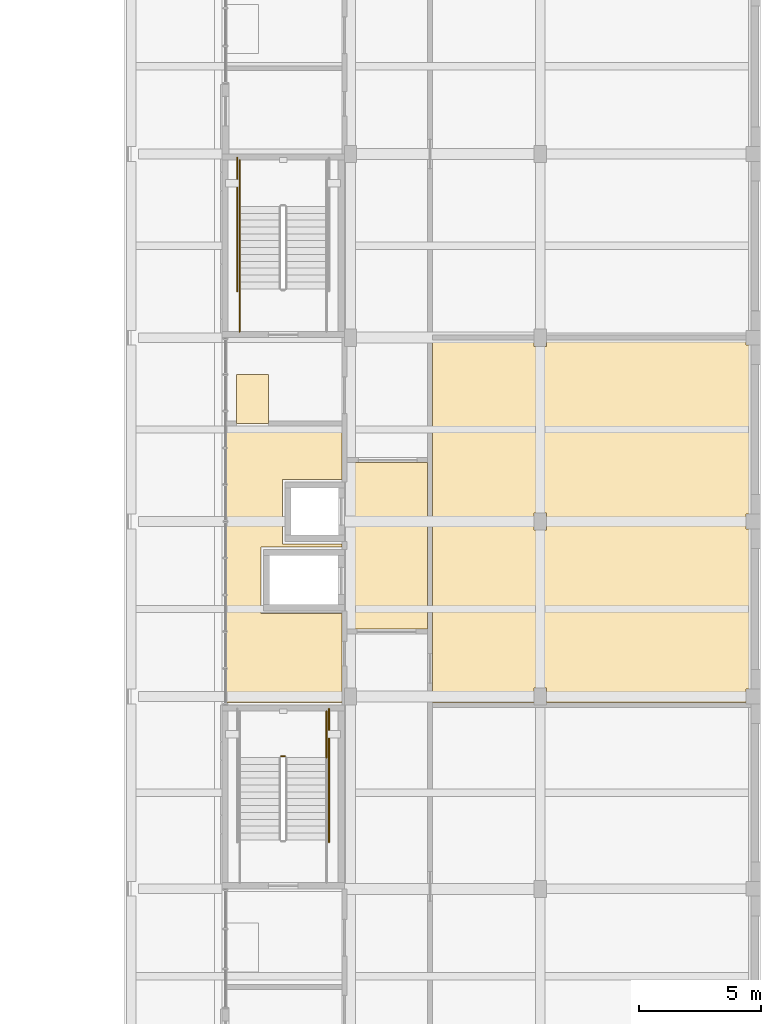
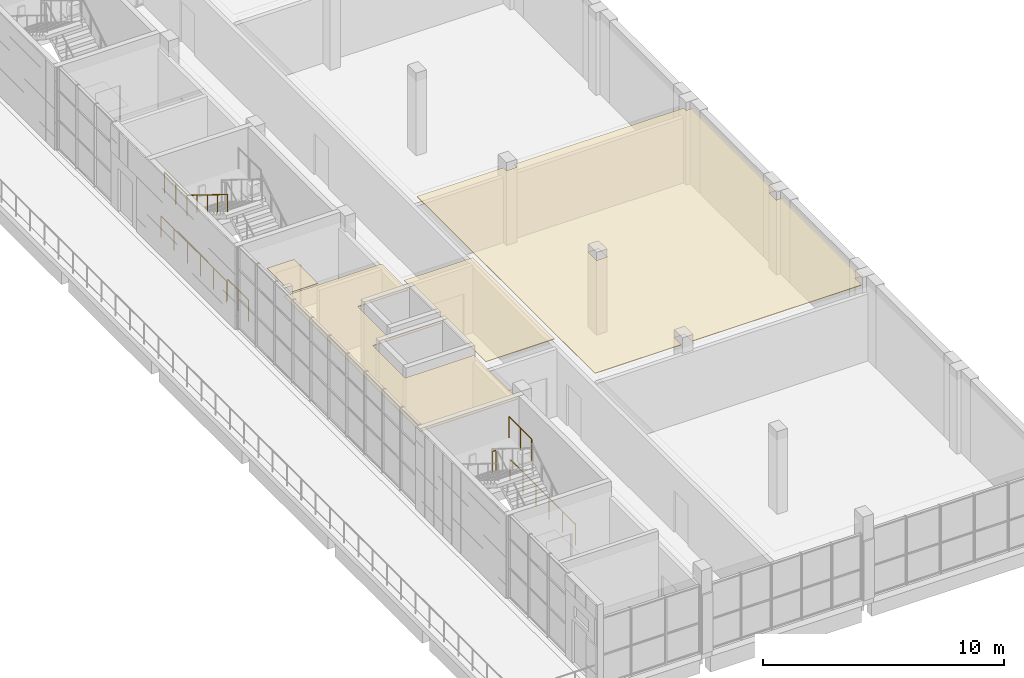
# One storey, part 35 of 36: 7 railings, 4 coverings.
"""IFC4 building model written with IfcOpenShell, lengths in metres."""

from ifc_helpers import new_model, si_unit, direction, frame, origin, origin_2d, place, context, subcontext, project, spatial, polyline, circle, outline, extrude, material, layer, layer_set, type_object, element, save


model = new_model("IFC4")

# Units and contexts
model_context = context("Model", 3, precision=1e-05, world=origin(), true_north=direction((0.0, 1.0)))
body_context = subcontext(model_context, "Body", "Model", "MODEL_VIEW")
ifc_project = project(units=[si_unit("LENGTHUNIT", "METRE"), si_unit("AREAUNIT", "SQUARE_METRE"), si_unit("VOLUMEUNIT", "CUBIC_METRE"), si_unit("PLANEANGLEUNIT", "RADIAN"), si_unit("MASSUNIT", "GRAM", prefix="KILO")], contexts=[model_context])

# Site, building, storey
site_placement = place(None, origin())
site = spatial("IfcSite", under=ifc_project, at=site_placement, CompositionType="ELEMENT")
building_placement = place(site_placement, origin())
building = spatial("IfcBuilding", under=site, at=building_placement, Name="Sun Court Science Centre", CompositionType="ELEMENT")
storey_placement = place(building_placement, frame((0.0, 0.0, 24.75)))
storey = spatial("IfcBuildingStorey", under=building, at=storey_placement, Name="L05", CompositionType="ELEMENT", Elevation=24.75)

# Coverings
ifc_material_1 = material(Name="Gypsum board")
ifc_layer = layer(ifc_material_1, 0.030029296875)
ifc_layer_set = layer_set([ifc_layer], Name="Gypsum board")
covering_type = type_object("IfcCoveringType", Name="Ceiling suspended 600 module", PredefinedType="CEILING", material=ifc_layer_set)
covering_1_placement = place(storey_placement, frame((0.0, 0.0, 3.77001953125)))
element("IfcCovering", 1, at=covering_1_placement, inside=storey, type_object=covering_type, Name="L05-008 ceiling", PredefinedType="CEILING", context=body_context, shape_type="SweptSolid", body=[
    extrude(outline(polyline([(87.10009765625, 53.39990234375), (90.39990234375, 53.39990234375), (90.39990234375, 46.60009765625), (87.10009765625, 46.60009765625), (87.10009765625, 50.08740234375), (87.1025390625, 50.08740234375), (87.1025390625, 52.71240234375), (87.10009765625, 52.71240234375), (87.10009765625, 53.39990234375)])), origin(), (0.0, 0.0, 1.0), 0.030029296875),
])
covering_2_placement = place(storey_placement, frame((0.0, 0.0, 3.77001953125)))
element("IfcCovering", 2, at=covering_2_placement, inside=storey, type_object=covering_type, Name="L05-013 ceiling", PredefinedType="CEILING", context=body_context, shape_type="SweptSolid", body=[
    extrude(outline(polyline([(82.199951171875, 54.89990234375), (86.89990234375, 54.89990234375), (86.89990234375, 52.71240234375), (84.4775390625, 52.71240234375), (84.4775390625, 50.08740234375), (86.89990234375, 50.08740234375), (86.89990234375, 49.949951171875), (83.60009765625, 49.949951171875), (83.60009765625, 47.25), (86.89990234375, 47.25), (86.89990234375, 43.60009765625), (82.199951171875, 43.60009765625), (82.199951171875, 54.89990234375)])), origin(), (0.0, 0.0, 1.0), 0.030029296875),
])
covering_3_placement = place(storey_placement, frame((0.0, 0.0, 3.77001953125)))
element("IfcCovering", 3, at=covering_3_placement, inside=storey, type_object=covering_type, Name="L05-016 ceiling", PredefinedType="CEILING", context=body_context, shape_type="SweptSolid", body=[
    extrude(outline(polyline([(95.25, 43.60009765625), (95.25, 44.199951171875), (94.75, 44.199951171875), (94.75, 43.60009765625), (90.60009765625, 43.60009765625), (90.60009765625, 58.39990234375), (94.75, 58.39990234375), (94.75, 58.14990234375), (95.25, 58.14990234375), (95.25, 58.39990234375), (103.39990234375, 58.39990234375), (103.39990234375, 58.199951171875), (103.800048828125, 58.199951171875), (103.800048828125, 51.300048828125), (103.39990234375, 51.300048828125), (103.39990234375, 50.699951171875), (103.800048828125, 50.699951171875), (103.800048828125, 44.14990234375), (103.39990234375, 44.14990234375), (103.39990234375, 43.60009765625), (95.25, 43.60009765625)]), holes=[polyline([(95.25, 51.35009765625), (94.75, 51.35009765625), (94.75, 50.64990234375), (95.25, 50.64990234375), (95.25, 51.35009765625)])]), origin(), (0.0, 0.0, 1.0), 0.030029296875),
])
covering_4_placement = place(storey_placement, frame((0.0, 0.0, 3.77001953125)))
element("IfcCovering", 4, at=covering_4_placement, inside=storey, type_object=covering_type, Name="L05-020 ceiling", PredefinedType="CEILING", context=body_context, shape_type="SweptSolid", body=[
    extrude(outline(polyline([(83.89990234375, 57.0), (83.89990234375, 55.0), (82.60009765625, 55.0), (82.60009765625, 57.0), (83.89990234375, 57.0)])), origin(), (0.0, 0.0, 1.0), 0.030029296875),
])

# Railings
ifc_material_2 = material(Name="Steel S275", Category="steel")
railing_type_1 = type_object("IfcRailingType", Name="Guard 1100 steel balustrade", PredefinedType="GUARDRAIL", material=ifc_material_2)
railing_1_placement = place(storey_placement, frame((84.574951171875, 41.407958984375, 2.25)))
element("IfcRailing", 5, at=railing_1_placement, inside=storey, type_object=railing_type_1, Name="L05 SL2 stair guard 2", PredefinedType="GUARDRAIL", context=body_context, shape_type="SweptSolid", body=[
    extrude(circle(Radius=0.02392578125, at=origin_2d()), frame((0.0, 0.0, 1.076171875), z_axis=(-1.0, 0.0, 0.0), x_axis=(0.0, -1.0, 0.0)), (0.0, 0.0, 1.0), 0.14990234375),
    extrude(circle(Radius=0.02099609375, at=origin_2d()), origin(), (0.0, 0.0, 1.0), 1.052001953125),
    extrude(circle(Radius=0.02099609375, at=origin_2d()), frame((-0.14990234375, 0.0, 0.0)), (0.0, 0.0, 1.0), 1.052001953125),
])
railing_2_placement = place(storey_placement, frame((86.27294921875, 41.35791015625, 2.25)))
element("IfcRailing", 6, at=railing_2_placement, inside=storey, type_object=railing_type_1, Name="L05 SL2 stair guard 3", PredefinedType="GUARDRAIL", context=body_context, shape_type="SweptSolid", body=[
    extrude(circle(Radius=0.02392578125, at=origin_2d()), frame((0.0, 0.0, 1.076171875), z_axis=(0.0, 1.0, 0.0), x_axis=(-1.0, 0.0, 0.0)), (0.0, 0.0, 1.0), 1.89208984375),
    extrude(circle(Radius=0.02099609375, at=origin_2d()), origin(), (0.0, 0.0, 1.0), 1.052001953125),
    extrude(circle(Radius=0.02099609375, at=origin_2d()), frame((0.0, 0.946044921875, 0.0)), (0.0, 0.0, 1.0), 1.052001953125),
    extrude(circle(Radius=0.02099609375, at=origin_2d()), frame((0.0, 1.89208984375, 0.0)), (0.0, 0.0, 1.0), 1.052001953125),
])
railing_3_placement = place(storey_placement, frame((86.373046875, 37.89794921875, 0.0)))
element("IfcRailing", 7, at=railing_3_placement, inside=storey, type_object=railing_type_1, Name="L05 SL2 stair guard 9", PredefinedType="GUARDRAIL", context=body_context, shape_type="SweptSolid", body=[
    extrude(circle(Radius=0.02392578125, at=origin_2d()), frame((0.0, 0.0, 1.076171875), z_axis=(0.0, 1.0, 0.0), x_axis=(-1.0, 0.0, 0.0)), (0.0, 0.0, 1.0), 5.4521484375),
    extrude(circle(Radius=0.02099609375, at=origin_2d()), origin(), (0.0, 0.0, 1.0), 1.052001953125),
    extrude(circle(Radius=0.02099609375, at=origin_2d()), frame((0.0, 1.09033203125, 0.0)), (0.0, 0.0, 1.0), 1.052001953125),
    extrude(circle(Radius=0.02099609375, at=origin_2d()), frame((0.0, 2.180908203125, 0.0)), (0.0, 0.0, 1.0), 1.052001953125),
    extrude(circle(Radius=0.02099609375, at=origin_2d()), frame((0.0, 3.271240234375, 0.0)), (0.0, 0.0, 1.0), 1.052001953125),
    extrude(circle(Radius=0.02099609375, at=origin_2d()), frame((0.0, 4.36181640625, 0.0)), (0.0, 0.0, 1.0), 1.052001953125),
    extrude(circle(Radius=0.02099609375, at=origin_2d()), frame((0.0, 5.4521484375, 0.0)), (0.0, 0.0, 1.0), 1.052001953125),
])
railing_4_placement = place(storey_placement, frame((82.72705078125, 63.85791015625, 2.25)))
element("IfcRailing", 8, at=railing_4_placement, inside=storey, type_object=railing_type_1, Name="L05 SL3 stair guard 4", PredefinedType="GUARDRAIL", context=body_context, shape_type="SweptSolid", body=[
    extrude(circle(Radius=0.02392578125, at=origin_2d()), frame((0.0, 0.0, 1.076171875), z_axis=(0.0, 1.0, 0.0), x_axis=(-1.0, 0.0, 0.0)), (0.0, 0.0, 1.0), 1.89208984375),
    extrude(circle(Radius=0.02099609375, at=origin_2d()), origin(), (0.0, 0.0, 1.0), 1.052001953125),
    extrude(circle(Radius=0.02099609375, at=origin_2d()), frame((0.0, 0.946044921875, 0.0)), (0.0, 0.0, 1.0), 1.052001953125),
    extrude(circle(Radius=0.02099609375, at=origin_2d()), frame((0.0, 1.89208984375, 0.0)), (0.0, 0.0, 1.0), 1.052001953125),
])
railing_5_placement = place(storey_placement, frame((82.72705078125, 58.75, 0.0)))
element("IfcRailing", 9, at=railing_5_placement, inside=storey, type_object=railing_type_1, Name="L05 SL3 stair guard 8", PredefinedType="GUARDRAIL", context=body_context, shape_type="SweptSolid", body=[
    extrude(circle(Radius=0.02392578125, at=origin_2d()), frame((0.0, 0.0, 1.076171875), z_axis=(0.0, 1.0, 0.0), x_axis=(-1.0, 0.0, 0.0)), (0.0, 0.0, 1.0), 1.748046875),
    extrude(circle(Radius=0.02099609375, at=origin_2d()), origin(), (0.0, 0.0, 1.0), 1.052001953125),
    extrude(circle(Radius=0.02099609375, at=origin_2d()), frame((0.0, 0.8740234375, 0.0)), (0.0, 0.0, 1.0), 1.052001953125),
    extrude(circle(Radius=0.02099609375, at=origin_2d()), frame((0.0, 1.748046875, 0.0)), (0.0, 0.0, 1.0), 1.052001953125),
])
railing_6_placement = place(storey_placement, frame((82.626953125, 60.39794921875, 0.0)))
element("IfcRailing", 10, at=railing_6_placement, inside=storey, type_object=railing_type_1, Name="L05 SL3 stair guard 10", PredefinedType="GUARDRAIL", context=body_context, shape_type="SweptSolid", body=[
    extrude(circle(Radius=0.02392578125, at=origin_2d()), frame((0.0, 0.0, 1.076171875), z_axis=(0.0, 1.0, 0.0), x_axis=(-1.0, 0.0, 0.0)), (0.0, 0.0, 1.0), 5.4521484375),
    extrude(circle(Radius=0.02099609375, at=origin_2d()), origin(), (0.0, 0.0, 1.0), 1.052001953125),
    extrude(circle(Radius=0.02099609375, at=origin_2d()), frame((0.0, 1.09033203125, 0.0)), (0.0, 0.0, 1.0), 1.052001953125),
    extrude(circle(Radius=0.02099609375, at=origin_2d()), frame((0.0, 2.180908203125, 0.0)), (0.0, 0.0, 1.0), 1.052001953125),
    extrude(circle(Radius=0.02099609375, at=origin_2d()), frame((0.0, 3.271240234375, 0.0)), (0.0, 0.0, 1.0), 1.052001953125),
    extrude(circle(Radius=0.02099609375, at=origin_2d()), frame((0.0, 4.36181640625, 0.0)), (0.0, 0.0, 1.0), 1.052001953125),
    extrude(circle(Radius=0.02099609375, at=origin_2d()), frame((0.0, 5.4521484375, 0.0)), (0.0, 0.0, 1.0), 1.052001953125),
])
ifc_material_3 = material(Name="Stainless steel", Category="steel")
railing_type_2 = type_object("IfcRailingType", Name="Handrail 900 stainless", PredefinedType="HANDRAIL", material=ifc_material_3)
railing_7_placement = place(storey_placement, frame((82.72705078125, 63.85791015625, 2.423095703125)))
element("IfcRailing", 11, at=railing_7_placement, inside=storey, type_object=railing_type_2, Name="L05 SL3 stair handrail 2", PredefinedType="HANDRAIL", context=body_context, shape_type="SweptSolid", body=[
    extrude(circle(Radius=0.02392578125, at=origin_2d()), frame((0.0, 0.0, 0.8759765625), z_axis=(0.0, -0.850606129759, 0.525803396734), x_axis=(1.0, 0.0, 0.0)), (0.0, 0.0, 1.0), 3.949951171875),
    extrude(circle(Radius=0.02099609375, at=origin_2d()), origin(), (0.0, 0.0, 1.0), 0.851806640625),
    extrude(circle(Radius=0.02099609375, at=origin_2d()), frame((0.0, -0.83984375, 0.519287109375)), (0.0, 0.0, 1.0), 0.851806640625),
    extrude(circle(Radius=0.02099609375, at=origin_2d()), frame((0.0, -1.679931640625, 1.03857421875)), (0.0, 0.0, 1.0), 0.851806640625),
    extrude(circle(Radius=0.02099609375, at=origin_2d()), frame((0.0, -2.52001953125, 1.5576171875)), (0.0, 0.0, 1.0), 0.851806640625),
    extrude(circle(Radius=0.02099609375, at=origin_2d()), frame((0.0, -3.35986328125, 2.076904296875)), (0.0, 0.0, 1.0), 0.851806640625),
])

save(model, "model.ifc")
